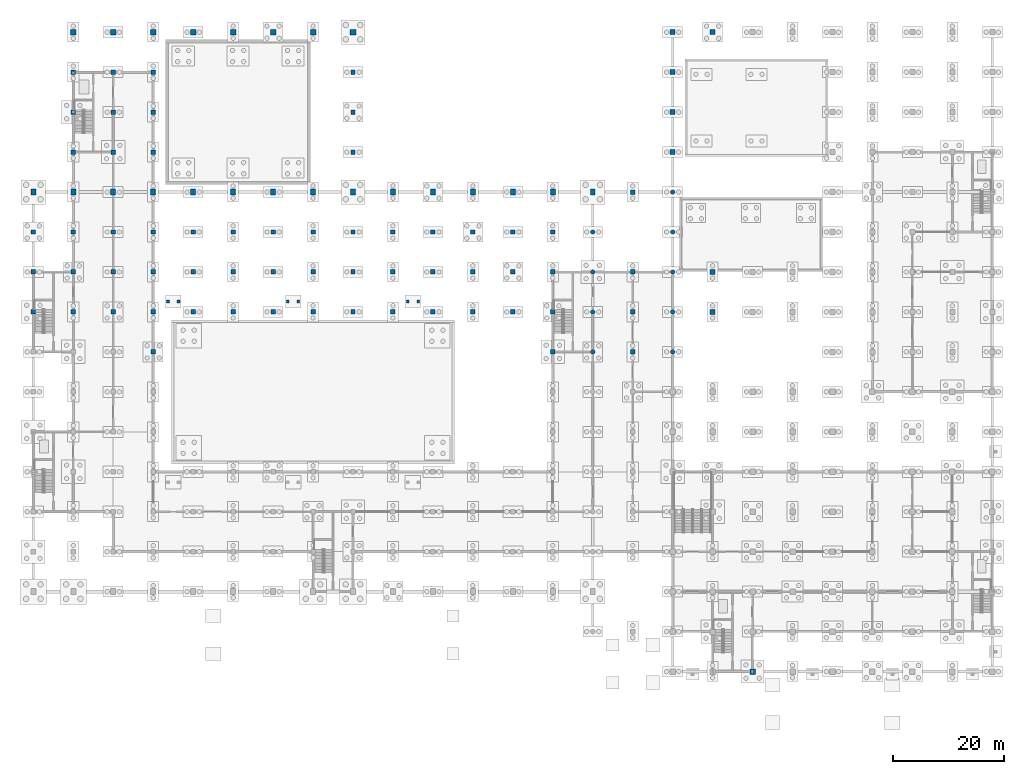
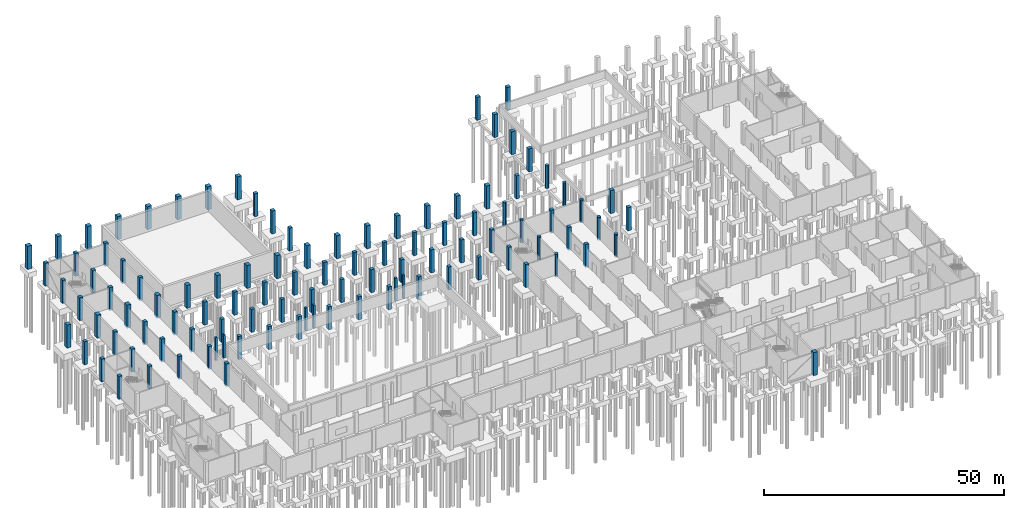
# One storey, part 11 of 35: 106 columns.
"""IFC4 building model written with IfcOpenShell, lengths in metres."""

from ifc_helpers import new_model, si_unit, direction, frame, origin, origin_2d, place, context, subcontext, project, spatial, rectangle, circle, extrude, material, material_profile, profile_set, type_object, element, save


model = new_model("IFC4")

# Units and contexts
model_context = context("Model", 3, precision=1e-05, world=origin(), true_north=direction((0.0, 1.0)))
body_context = subcontext(model_context, "Body", "Model", "MODEL_VIEW")
ifc_project = project(units=[si_unit("LENGTHUNIT", "METRE"), si_unit("AREAUNIT", "SQUARE_METRE"), si_unit("VOLUMEUNIT", "CUBIC_METRE"), si_unit("PLANEANGLEUNIT", "RADIAN"), si_unit("MASSUNIT", "GRAM", prefix="KILO")], contexts=[model_context])

# Site, building, storey
site_placement = place(None, origin())
site = spatial("IfcSite", under=ifc_project, at=site_placement, CompositionType="ELEMENT")
building_placement = place(site_placement, origin())
building = spatial("IfcBuilding", under=site, at=building_placement, Name="Vesperath Aquatics Centre", CompositionType="ELEMENT")
storey_placement = place(building_placement, frame((0.0, 0.0, -5.39990234375)))
storey = spatial("IfcBuildingStorey", under=building, at=storey_placement, Name="B1", CompositionType="ELEMENT", Elevation=-5.39990234375)

# Columns
ifc_material_1 = material(Name="Concrete C40", Category="concrete")
ifc_material_profile_1 = material_profile(ifc_material_1, rectangle(XDim=0.89990234375, YDim=1.10009765625, at=origin_2d()), Name="RC 1100x900")
ifc_profile_set_1 = profile_set([ifc_material_profile_1], Name="Concrete C40")
column_type_1 = type_object("IfcColumnType", Name="CL-C01", PredefinedType="COLUMN", material=ifc_profile_set_1)
for number, where, z_axis, x_axis, name in (
    (1, (0.0, 86.39990234375, -0.4501953125), (0.0, 0.0, 1.0), (1.0, 0.0, 0.0), "Column C01 B1 1/N"),
    (2, (7.199951171875, 86.39990234375, -0.4501953125), (0.0, 0.0, 1.0), (1.0, 0.0, 0.0), "Column C01 B1 2/N"),
    (3, (14.39990234375, 86.39990234375, -0.4501953125), (0.0, 0.0, 1.0), (1.0, 0.0, 0.0), "Column C01 B1 3/N"),
    (4, (21.60009765625, 86.39990234375, -0.4501953125), (0.0, 0.0, 1.0), (1.0, 0.0, 0.0), "Column C01 B1 4/N"),
    (5, (28.800048828125, 86.39990234375, -0.4501953125), (0.0, 0.0, 1.0), (1.0, 0.0, 0.0), "Column C01 B1 5/N"),
    (6, (36.0, 86.39990234375, -0.4501953125), (0.0, 0.0, 1.0), (1.0, 0.0, 0.0), "Column C01 B1 6/N"),
    (7, (43.199951171875, 86.39990234375, -0.4501953125), (0.0, 0.0, 1.0), (1.0, 0.0, 0.0), "Column C01 B1 7/N"),
    (8, (50.39990234375, 86.39990234375, -0.4501953125), (0.0, 0.0, 1.0), (1.0, 0.0, 0.0), "Column C01 B1 8/N"),
    (9, (57.60009765625, 86.39990234375, -0.4501953125), (0.0, 0.0, 1.0), (1.0, 0.0, 0.0), "Column C01 B1 9/N"),
    (10, (64.800048828125, 86.39990234375, -0.4501953125), (0.0, 0.0, 1.0), (1.0, 0.0, 0.0), "Column C01 B1 10/N"),
    (11, (72.0, 86.39990234375, -0.4501953125), (0.0, 0.0, 1.0), (1.0, 0.0, 0.0), "Column C01 B1 11/N"),
    (12, (79.199951171875, 86.39990234375, -0.4501953125), (0.0, 0.0, 1.0), (1.0, 0.0, 0.0), "Column C01 B1 12/N"),
    (13, (86.39990234375, 86.39990234375, -0.4501953125), (0.0, 0.0, 1.0), (1.0, 0.0, 0.0), "Column C01 B1 13/N"),
    (14, (93.60009765625, 86.39990234375, -0.4501953125), (0.0, 0.0, 1.0), (1.0, 0.0, 0.0), "Column C01 B1 14/N"),
    (15, (100.800048828125, 86.39990234375, -0.4501953125), (0.0, 0.0, 1.0), (1.0, 0.0, 0.0), "Column C01 B1 15/N"),
):
    element("IfcColumn", number, at=place(storey_placement, frame(where, z_axis=z_axis, x_axis=x_axis)), inside=storey, type_object=column_type_1, Name=name, PredefinedType="COLUMN", context=body_context, shape_type="SweptSolid", body=[
        extrude(rectangle(XDim=0.89990234375, YDim=1.10009765625, at=origin_2d()), origin(), (0.0, 0.0, 1.0), 5.85009765625),
    ])
ifc_material_profile_2 = material_profile(ifc_material_1, rectangle(XDim=1.0, YDim=1.0, at=origin_2d()), Name="RC 1000x1000")
ifc_profile_set_2 = profile_set([ifc_material_profile_2], Name="Concrete C40")
column_type_2 = type_object("IfcColumnType", Name="CL-C02", PredefinedType="COLUMN", material=ifc_profile_set_2)
for number, where, z_axis, x_axis, name in (
    (16, (7.199951171875, 115.199951171875, -0.4501953125), (0.0, 0.0, 1.0), (1.0, 0.0, 0.0), "Column C02 B1 2/S"),
    (17, (14.39990234375, 115.199951171875, -0.4501953125), (0.0, 0.0, 1.0), (1.0, 0.0, 0.0), "Column C02 B1 3/S"),
    (18, (21.60009765625, 115.199951171875, -0.4501953125), (0.0, 0.0, 1.0), (1.0, 0.0, 0.0), "Column C02 B1 4/S"),
    (19, (28.800048828125, 115.199951171875, -0.4501953125), (0.0, 0.0, 1.0), (1.0, 0.0, 0.0), "Column C02 B1 5/S"),
    (20, (36.0, 115.199951171875, -0.4501953125), (0.0, 0.0, 1.0), (1.0, 0.0, 0.0), "Column C02 B1 6/S"),
    (21, (43.199951171875, 115.199951171875, -0.4501953125), (0.0, 0.0, 1.0), (1.0, 0.0, 0.0), "Column C02 B1 7/S"),
    (22, (50.39990234375, 115.199951171875, -0.4501953125), (0.0, 0.0, 1.0), (1.0, 0.0, 0.0), "Column C02 B1 8/S"),
    (23, (57.60009765625, 115.199951171875, -0.4501953125), (0.0, 0.0, 1.0), (1.0, 0.0, 0.0), "Column C02 B1 9/S"),
    (24, (129.60009765625, 0.0, -0.4501953125), (0.0, 0.0, 1.0), (1.0, 0.0, 0.0), "Column C02 B1 19/A"),
):
    element("IfcColumn", number, at=place(storey_placement, frame(where, z_axis=z_axis, x_axis=x_axis)), inside=storey, type_object=column_type_2, Name=name, PredefinedType="COLUMN", context=body_context, shape_type="SweptSolid", body=[
        extrude(rectangle(XDim=1.0, YDim=1.0, at=origin_2d()), origin(), (0.0, 0.0, 1.0), 5.85009765625),
    ])
ifc_material_profile_3 = material_profile(ifc_material_1, rectangle(XDim=0.89990234375, YDim=0.89990234375, at=origin_2d()), Name="RC 900x900")
ifc_profile_set_3 = profile_set([ifc_material_profile_3], Name="Concrete C40")
column_type_3 = type_object("IfcColumnType", Name="CL-C03", PredefinedType="COLUMN", material=ifc_profile_set_3)
for number, where, z_axis, x_axis, name in (
    (25, (115.199951171875, 93.60009765625, -0.4501953125), (0.0, 0.0, 1.0), (1.0, 0.0, 0.0), "Column C03 B1 17/P"),
    (26, (115.199951171875, 100.800048828125, -0.4501953125), (0.0, 0.0, 1.0), (1.0, 0.0, 0.0), "Column C03 B1 17/Q"),
    (27, (115.199951171875, 108.0, -0.4501953125), (0.0, 0.0, 1.0), (1.0, 0.0, 0.0), "Column C03 B1 17/R"),
    (28, (115.199951171875, 115.199951171875, -0.4501953125), (0.0, 0.0, 1.0), (1.0, 0.0, 0.0), "Column C03 B1 17/S"),
    (29, (122.39990234375, 64.800048828125, -0.4501953125), (0.0, 0.0, 1.0), (1.0, 0.0, 0.0), "Column C03 B1 18/K"),
    (30, (122.39990234375, 72.0, -0.4501953125), (0.0, 0.0, 1.0), (1.0, 0.0, 0.0), "Column C03 B1 18/L"),
    (31, (122.39990234375, 115.199951171875, -0.4501953125), (0.0, 0.0, 1.0), (1.0, 0.0, 0.0), "Column C03 B1 18/S"),
):
    element("IfcColumn", number, at=place(storey_placement, frame(where, z_axis=z_axis, x_axis=x_axis)), inside=storey, type_object=column_type_3, Name=name, PredefinedType="COLUMN", context=body_context, shape_type="SweptSolid", body=[
        extrude(rectangle(XDim=0.89990234375, YDim=0.89990234375, at=origin_2d()), origin(), (0.0, 0.0, 1.0), 5.85009765625),
    ])
ifc_material_profile_4 = material_profile(ifc_material_1, rectangle(XDim=0.800048828125, YDim=0.800048828125, at=origin_2d()), Name="RC 800x800")
ifc_profile_set_4 = profile_set([ifc_material_profile_4], Name="Concrete C40")
column_type_4 = type_object("IfcColumnType", Name="CL-C04", PredefinedType="COLUMN", material=ifc_profile_set_4)
for number, where, z_axis, x_axis, name in (
    (32, (0.0, 64.800048828125, -0.4501953125), (0.0, 0.0, 1.0), (1.0, 0.0, 0.0), "Column C04 B1 1/K"),
    (33, (0.0, 72.0, -0.4501953125), (0.0, 0.0, 1.0), (1.0, 0.0, 0.0), "Column C04 B1 1/L"),
    (34, (0.0, 79.199951171875, -0.4501953125), (0.0, 0.0, 1.0), (1.0, 0.0, 0.0), "Column C04 B1 1/M"),
    (35, (7.199951171875, 64.800048828125, -0.4501953125), (0.0, 0.0, 1.0), (1.0, 0.0, 0.0), "Column C04 B1 2/K"),
    (36, (7.199951171875, 72.0, -0.4501953125), (0.0, 0.0, 1.0), (1.0, 0.0, 0.0), "Column C04 B1 2/L"),
    (37, (7.199951171875, 79.199951171875, -0.4501953125), (0.0, 0.0, 1.0), (1.0, 0.0, 0.0), "Column C04 B1 2/M"),
    (38, (7.199951171875, 93.60009765625, -0.4501953125), (0.0, 0.0, 1.0), (1.0, 0.0, 0.0), "Column C04 B1 2/P"),
    (39, (7.199951171875, 100.800048828125, -0.4501953125), (0.0, 0.0, 1.0), (1.0, 0.0, 0.0), "Column C04 B1 2/Q"),
    (40, (7.199951171875, 108.0, -0.4501953125), (0.0, 0.0, 1.0), (1.0, 0.0, 0.0), "Column C04 B1 2/R"),
    (41, (14.39990234375, 64.800048828125, -0.4501953125), (0.0, 0.0, 1.0), (1.0, 0.0, 0.0), "Column C04 B1 3/K"),
    (42, (14.39990234375, 72.0, -0.4501953125), (0.0, 0.0, 1.0), (1.0, 0.0, 0.0), "Column C04 B1 3/L"),
    (43, (14.39990234375, 79.199951171875, -0.4501953125), (0.0, 0.0, 1.0), (1.0, 0.0, 0.0), "Column C04 B1 3/M"),
    (44, (14.39990234375, 93.60009765625, -0.4501953125), (0.0, 0.0, 1.0), (1.0, 0.0, 0.0), "Column C04 B1 3/P"),
    (45, (14.39990234375, 100.800048828125, -0.4501953125), (0.0, 0.0, 1.0), (1.0, 0.0, 0.0), "Column C04 B1 3/Q"),
    (46, (14.39990234375, 108.0, -0.4501953125), (0.0, 0.0, 1.0), (1.0, 0.0, 0.0), "Column C04 B1 3/R"),
    (47, (21.60009765625, 57.60009765625, -0.4501953125), (0.0, 0.0, 1.0), (1.0, 0.0, 0.0), "Column C04 B1 4/J"),
    (48, (21.60009765625, 64.800048828125, -0.4501953125), (0.0, 0.0, 1.0), (1.0, 0.0, 0.0), "Column C04 B1 4/K"),
    (49, (21.60009765625, 72.0, -0.4501953125), (0.0, 0.0, 1.0), (1.0, 0.0, 0.0), "Column C04 B1 4/L"),
    (50, (21.60009765625, 79.199951171875, -0.4501953125), (0.0, 0.0, 1.0), (1.0, 0.0, 0.0), "Column C04 B1 4/M"),
    (51, (21.60009765625, 93.60009765625, -0.4501953125), (0.0, 0.0, 1.0), (1.0, 0.0, 0.0), "Column C04 B1 4/P"),
    (52, (21.60009765625, 100.800048828125, -0.4501953125), (0.0, 0.0, 1.0), (1.0, 0.0, 0.0), "Column C04 B1 4/Q"),
    (53, (21.60009765625, 108.0, -0.4501953125), (0.0, 0.0, 1.0), (1.0, 0.0, 0.0), "Column C04 B1 4/R"),
    (54, (28.800048828125, 64.800048828125, -0.4501953125), (0.0, 0.0, 1.0), (1.0, 0.0, 0.0), "Column C04 B1 5/K"),
    (55, (28.800048828125, 72.0, -0.4501953125), (0.0, 0.0, 1.0), (1.0, 0.0, 0.0), "Column C04 B1 5/L"),
    (56, (28.800048828125, 79.199951171875, -0.4501953125), (0.0, 0.0, 1.0), (1.0, 0.0, 0.0), "Column C04 B1 5/M"),
    (57, (36.0, 64.800048828125, -0.4501953125), (0.0, 0.0, 1.0), (1.0, 0.0, 0.0), "Column C04 B1 6/K"),
    (58, (36.0, 72.0, -0.4501953125), (0.0, 0.0, 1.0), (1.0, 0.0, 0.0), "Column C04 B1 6/L"),
    (59, (36.0, 79.199951171875, -0.4501953125), (0.0, 0.0, 1.0), (1.0, 0.0, 0.0), "Column C04 B1 6/M"),
    (60, (43.199951171875, 64.800048828125, -0.4501953125), (0.0, 0.0, 1.0), (1.0, 0.0, 0.0), "Column C04 B1 7/K"),
    (61, (43.199951171875, 72.0, -0.4501953125), (0.0, 0.0, 1.0), (1.0, 0.0, 0.0), "Column C04 B1 7/L"),
    (62, (43.199951171875, 79.199951171875, -0.4501953125), (0.0, 0.0, 1.0), (1.0, 0.0, 0.0), "Column C04 B1 7/M"),
    (63, (50.39990234375, 64.800048828125, -0.4501953125), (0.0, 0.0, 1.0), (1.0, 0.0, 0.0), "Column C04 B1 8/K"),
    (64, (50.39990234375, 72.0, -0.4501953125), (0.0, 0.0, 1.0), (1.0, 0.0, 0.0), "Column C04 B1 8/L"),
    (65, (50.39990234375, 79.199951171875, -0.4501953125), (0.0, 0.0, 1.0), (1.0, 0.0, 0.0), "Column C04 B1 8/M"),
    (66, (57.60009765625, 64.800048828125, -0.4501953125), (0.0, 0.0, 1.0), (1.0, 0.0, 0.0), "Column C04 B1 9/K"),
    (67, (57.60009765625, 72.0, -0.4501953125), (0.0, 0.0, 1.0), (1.0, 0.0, 0.0), "Column C04 B1 9/L"),
    (68, (57.60009765625, 79.199951171875, -0.4501953125), (0.0, 0.0, 1.0), (1.0, 0.0, 0.0), "Column C04 B1 9/M"),
    (69, (57.60009765625, 93.60009765625, -0.4501953125), (0.0, 0.0, 1.0), (1.0, 0.0, 0.0), "Column C04 B1 9/P"),
    (70, (57.60009765625, 100.800048828125, -0.4501953125), (0.0, 0.0, 1.0), (1.0, 0.0, 0.0), "Column C04 B1 9/Q"),
    (71, (57.60009765625, 108.0, -0.4501953125), (0.0, 0.0, 1.0), (1.0, 0.0, 0.0), "Column C04 B1 9/R"),
    (72, (64.800048828125, 64.800048828125, -0.4501953125), (0.0, 0.0, 1.0), (1.0, 0.0, 0.0), "Column C04 B1 10/K"),
    (73, (64.800048828125, 72.0, -0.4501953125), (0.0, 0.0, 1.0), (1.0, 0.0, 0.0), "Column C04 B1 10/L"),
    (74, (64.800048828125, 79.199951171875, -0.4501953125), (0.0, 0.0, 1.0), (1.0, 0.0, 0.0), "Column C04 B1 10/M"),
    (75, (72.0, 64.800048828125, -0.4501953125), (0.0, 0.0, 1.0), (1.0, 0.0, 0.0), "Column C04 B1 11/K"),
    (76, (72.0, 72.0, -0.4501953125), (0.0, 0.0, 1.0), (1.0, 0.0, 0.0), "Column C04 B1 11/L"),
    (77, (72.0, 79.199951171875, -0.4501953125), (0.0, 0.0, 1.0), (1.0, 0.0, 0.0), "Column C04 B1 11/M"),
    (78, (79.199951171875, 64.800048828125, -0.4501953125), (0.0, 0.0, 1.0), (1.0, 0.0, 0.0), "Column C04 B1 12/K"),
    (79, (79.199951171875, 72.0, -0.4501953125), (0.0, 0.0, 1.0), (1.0, 0.0, 0.0), "Column C04 B1 12/L"),
    (80, (79.199951171875, 79.199951171875, -0.4501953125), (0.0, 0.0, 1.0), (1.0, 0.0, 0.0), "Column C04 B1 12/M"),
    (81, (86.39990234375, 64.800048828125, -0.4501953125), (0.0, 0.0, 1.0), (1.0, 0.0, 0.0), "Column C04 B1 13/K"),
    (82, (86.39990234375, 72.0, -0.4501953125), (0.0, 0.0, 1.0), (1.0, 0.0, 0.0), "Column C04 B1 13/L"),
    (83, (86.39990234375, 79.199951171875, -0.4501953125), (0.0, 0.0, 1.0), (1.0, 0.0, 0.0), "Column C04 B1 13/M"),
    (84, (93.60009765625, 57.60009765625, -0.4501953125), (0.0, 0.0, 1.0), (1.0, 0.0, 0.0), "Column C04 B1 14/J"),
    (85, (93.60009765625, 64.800048828125, -0.4501953125), (0.0, 0.0, 1.0), (1.0, 0.0, 0.0), "Column C04 B1 14/K"),
    (86, (93.60009765625, 72.0, -0.4501953125), (0.0, 0.0, 1.0), (1.0, 0.0, 0.0), "Column C04 B1 14/L"),
    (87, (93.60009765625, 79.199951171875, -0.4501953125), (0.0, 0.0, 1.0), (1.0, 0.0, 0.0), "Column C04 B1 14/M"),
    (88, (108.0, 57.60009765625, -0.4501953125), (0.0, 0.0, 1.0), (1.0, 0.0, 0.0), "Column C04 B1 16/J"),
    (89, (108.0, 64.800048828125, -0.4501953125), (0.0, 0.0, 1.0), (1.0, 0.0, 0.0), "Column C04 B1 16/K"),
    (90, (108.0, 72.0, -0.4501953125), (0.0, 0.0, 1.0), (1.0, 0.0, 0.0), "Column C04 B1 16/L"),
    (91, (108.0, 86.39990234375, -0.4501953125), (0.0, 0.0, 1.0), (1.0, 0.0, 0.0), "Column C04 B1 16/N"),
):
    element("IfcColumn", number, at=place(storey_placement, frame(where, z_axis=z_axis, x_axis=x_axis)), inside=storey, type_object=column_type_4, Name=name, PredefinedType="COLUMN", context=body_context, shape_type="SweptSolid", body=[
        extrude(rectangle(XDim=0.800048828125, YDim=0.800048828125, at=origin_2d()), origin(), (0.0, 0.0, 1.0), 5.85009765625),
    ])
ifc_material_2 = material(Name="Concrete C35", Category="concrete")
ifc_material_profile_5 = material_profile(ifc_material_2, rectangle(XDim=0.5, YDim=0.5, at=origin_2d()), Name="RC 500x500")
ifc_profile_set_5 = profile_set([ifc_material_profile_5], Name="Concrete C35")
column_type_5 = type_object("IfcColumnType", Name="CL-C07", PredefinedType="COLUMN", material=ifc_profile_set_5)
for number, where, z_axis, x_axis, name in (
    (92, (24.25, 66.679931640625, -0.4501953125), (0.0, 0.0, 1.0), (1.0, 0.0, 0.0), "Vomitory VOM-04 Sub-Column C07 B1-W"),
    (93, (26.14990234375, 66.679931640625, -0.4501953125), (0.0, 0.0, 1.0), (1.0, 0.0, 0.0), "Vomitory VOM-04 Sub-Column C07 B1-E"),
    (94, (45.85009765625, 66.679931640625, -0.4501953125), (0.0, 0.0, 1.0), (1.0, 0.0, 0.0), "Vomitory VOM-05 Sub-Column C07 B1-W"),
    (95, (47.75, 66.679931640625, -0.4501953125), (0.0, 0.0, 1.0), (1.0, 0.0, 0.0), "Vomitory VOM-05 Sub-Column C07 B1-E"),
    (96, (67.449951171875, 66.679931640625, -0.4501953125), (0.0, 0.0, 1.0), (1.0, 0.0, 0.0), "Vomitory VOM-06 Sub-Column C07 B1-W"),
    (97, (69.35009765625, 66.679931640625, -0.4501953125), (0.0, 0.0, 1.0), (1.0, 0.0, 0.0), "Vomitory VOM-06 Sub-Column C07 B1-E"),
):
    element("IfcColumn", number, at=place(storey_placement, frame(where, z_axis=z_axis, x_axis=x_axis)), inside=storey, type_object=column_type_5, Name=name, PredefinedType="COLUMN", context=body_context, shape_type="SweptSolid", body=[
        extrude(rectangle(XDim=0.5, YDim=0.5, at=origin_2d()), origin(), (0.0, 0.0, 1.0), 5.85009765625),
    ])
ifc_material_profile_6 = material_profile(ifc_material_1, circle(Radius=0.39990234375, at=origin_2d()), Name="RC D800")
ifc_profile_set_6 = profile_set([ifc_material_profile_6], Name="Concrete C40")
column_type_6 = type_object("IfcColumnType", Name="CL-C08", PredefinedType="COLUMN", material=ifc_profile_set_6)
for number, where, z_axis, x_axis, name in (
    (98, (100.800048828125, 57.60009765625, -0.4501953125), (0.0, 0.0, 1.0), (1.0, 0.0, 0.0), "Column C08 B1 15/J"),
    (99, (100.800048828125, 64.800048828125, -0.4501953125), (0.0, 0.0, 1.0), (1.0, 0.0, 0.0), "Column C08 B1 15/K"),
    (100, (100.800048828125, 72.0, -0.4501953125), (0.0, 0.0, 1.0), (1.0, 0.0, 0.0), "Column C08 B1 15/L"),
    (101, (100.800048828125, 79.199951171875, -0.4501953125), (0.0, 0.0, 1.0), (1.0, 0.0, 0.0), "Column C08 B1 15/M"),
    (102, (115.199951171875, 57.60009765625, -0.4501953125), (0.0, 0.0, 1.0), (1.0, 0.0, 0.0), "Column C08 B1 17/J"),
    (103, (115.199951171875, 64.800048828125, -0.4501953125), (0.0, 0.0, 1.0), (1.0, 0.0, 0.0), "Column C08 B1 17/K"),
    (104, (115.199951171875, 72.0, -0.4501953125), (0.0, 0.0, 1.0), (1.0, 0.0, 0.0), "Column C08 B1 17/L"),
    (105, (115.199951171875, 79.199951171875, -0.4501953125), (0.0, 0.0, 1.0), (1.0, 0.0, 0.0), "Column C08 B1 17/M"),
    (106, (115.199951171875, 86.39990234375, -0.4501953125), (0.0, 0.0, 1.0), (1.0, 0.0, 0.0), "Column C08 B1 17/N"),
):
    element("IfcColumn", number, at=place(storey_placement, frame(where, z_axis=z_axis, x_axis=x_axis)), inside=storey, type_object=column_type_6, Name=name, PredefinedType="COLUMN", context=body_context, shape_type="SweptSolid", body=[
        extrude(circle(Radius=0.39990234375, at=origin_2d()), origin(), (0.0, 0.0, 1.0), 5.85009765625),
    ])

save(model, "model.ifc")
